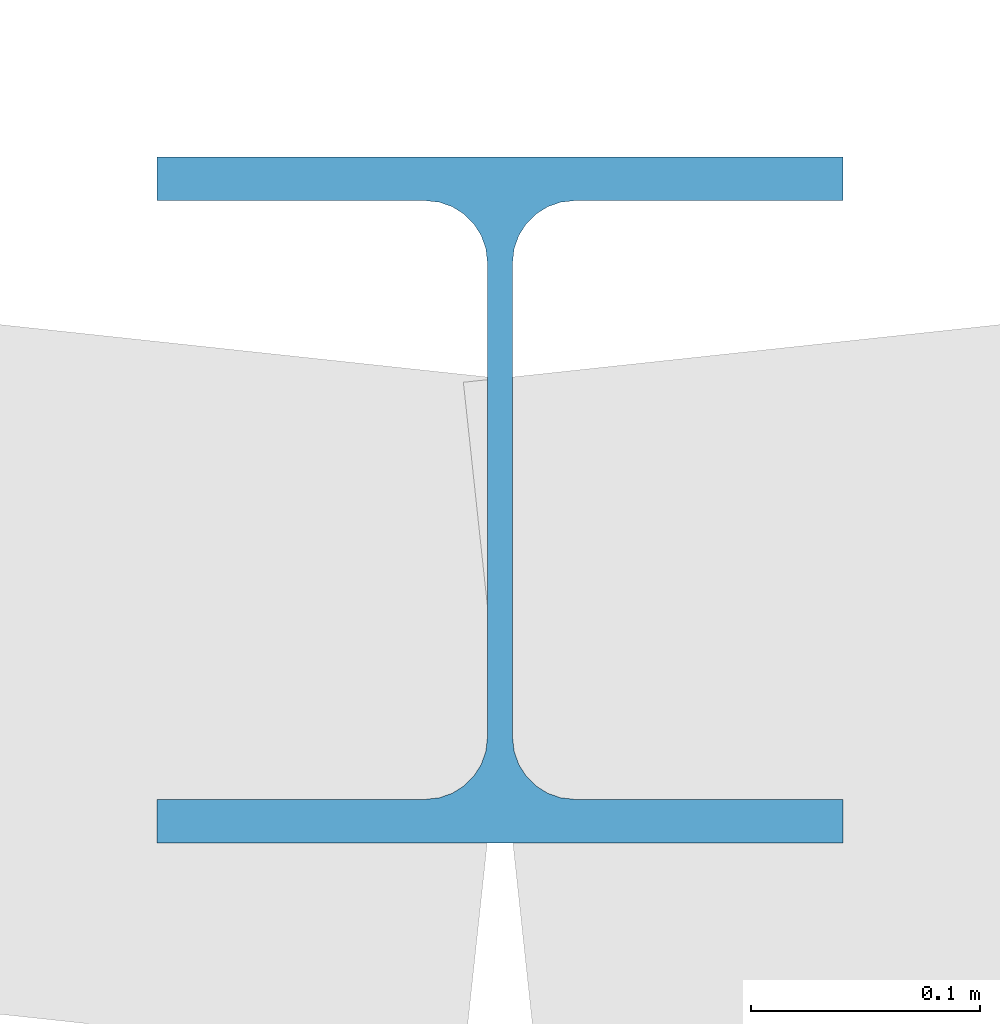
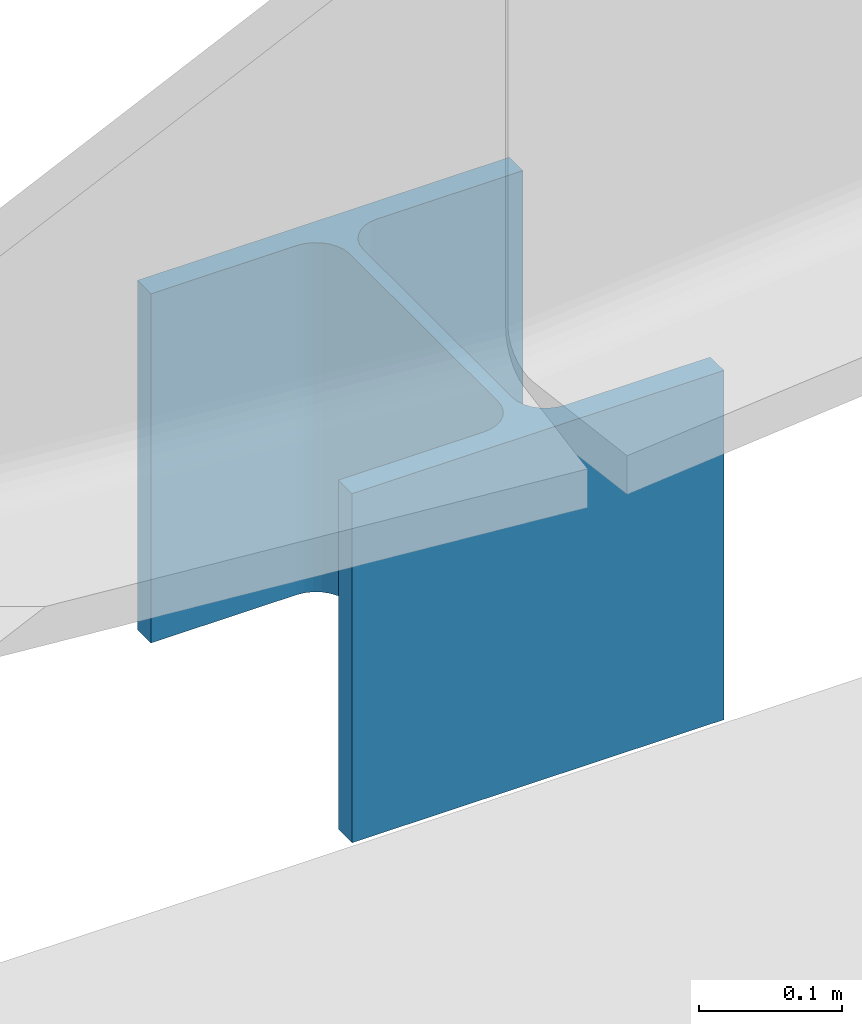
# One storey, part 4 of 17: 1 column.
"""IFC4 building model written with IfcOpenShell, lengths in metres."""

from ifc_helpers import new_model, si_unit, direction, frame, origin, origin_2d, place, context, subcontext, project, spatial, i_section, extrude, material, material_profile, profile_set, type_object, element, save


model = new_model("IFC4")

# Units and contexts
model_context = context("Model", 3, precision=1e-05, world=origin(), true_north=direction((0.0, 1.0)))
body_context = subcontext(model_context, "Body", "Model", "MODEL_VIEW")
ifc_project = project(units=[si_unit("LENGTHUNIT", "METRE"), si_unit("AREAUNIT", "SQUARE_METRE"), si_unit("VOLUMEUNIT", "CUBIC_METRE"), si_unit("PLANEANGLEUNIT", "RADIAN"), si_unit("MASSUNIT", "GRAM", prefix="KILO")], contexts=[model_context])

# Site, building, storey
site_placement = place(None, origin())
site = spatial("IfcSite", under=ifc_project, at=site_placement, CompositionType="ELEMENT")
building_placement = place(site_placement, origin())
building = spatial("IfcBuilding", under=site, at=building_placement, Name="Verdant Reach Tower", CompositionType="ELEMENT")
storey_placement = place(building_placement, frame((0.0, 0.0, 58.0)))
storey = spatial("IfcBuildingStorey", under=building, at=storey_placement, Name="L13 Plant", CompositionType="ELEMENT", Elevation=58.0)

# Column
ifc_material = material(Name="Steel S460", Category="steel")
ifc_material_profile = material_profile(ifc_material, i_section(OverallWidth=0.300048828125, OverallDepth=0.300048828125, WebThickness=0.010986328125, FlangeThickness=0.01904296875, FilletRadius=0.027099609375, at=origin_2d()), Name="HEB 300")
ifc_profile_set = profile_set([ifc_material_profile], Name="Steel S460")
column_type = type_object("IfcColumnType", Name="ST-NODE-SEAT-HEB300", PredefinedType="COLUMN", material=ifc_profile_set)
column_placement = place(storey_placement, frame((0.0, 50.561767578125, 5.772216796875), z_axis=(0.0, 0.0, 1.0), x_axis=(1.0, 0.0, 0.0)))
element("IfcColumn", 1, at=column_placement, inside=storey, type_object=column_type, Name="Seat post, mega column M-N, L13 Plant", PredefinedType="COLUMN", context=body_context, shape_type="SweptSolid", body=[
    extrude(i_section(OverallWidth=0.300048828125, OverallDepth=0.300048828125, WebThickness=0.010986328125, FlangeThickness=0.01904296875, FilletRadius=0.027099609375, at=origin_2d()), origin(), (0.0, 0.0, 1.0), 0.2978515625),
])

save(model, "model.ifc")
